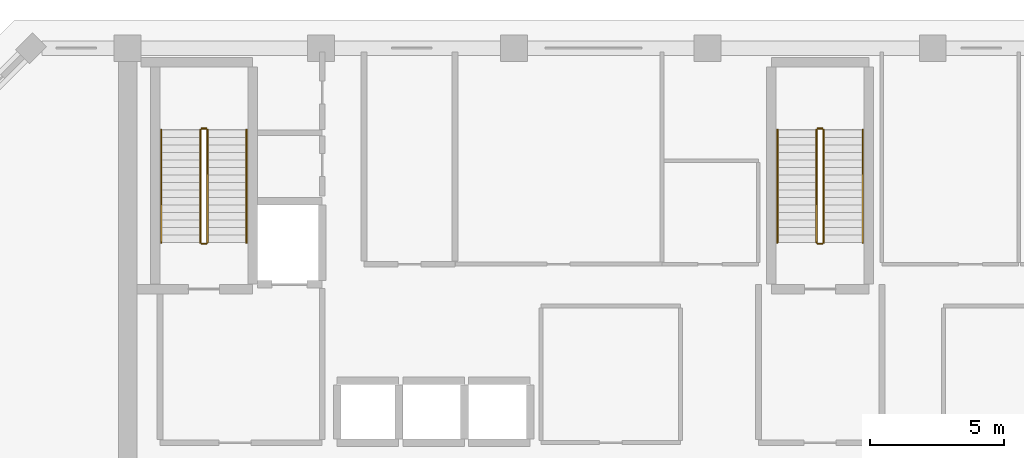
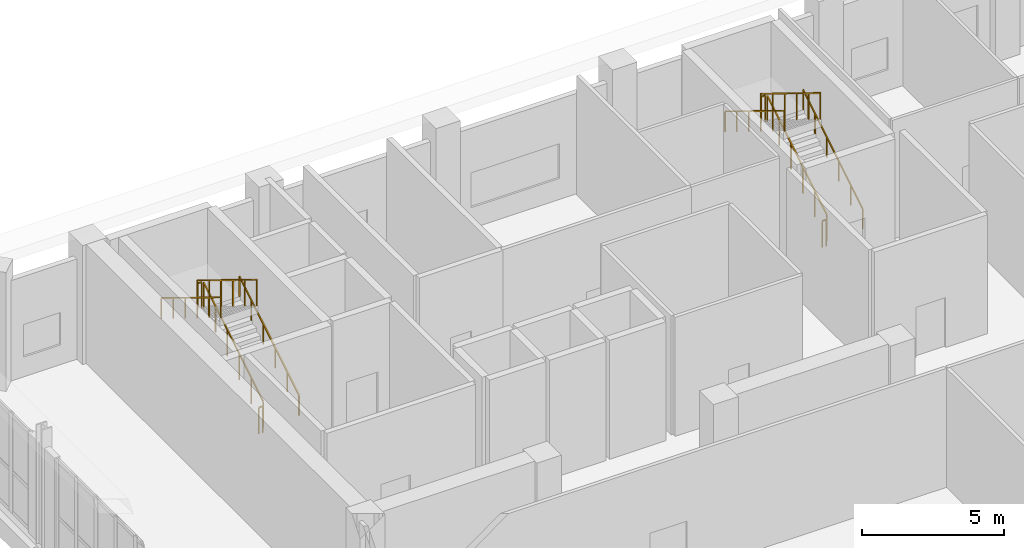
# One storey, part 25 of 26: 12 railings.
"""IFC4 building model written with IfcOpenShell, lengths in metres."""

import ifcopenshell
import ifcopenshell.guid

model = None  # the IFC model being written
_history = None  # IfcOwnerHistory: only IFC2X3 demands one
_inside = {}  # id of a spatial element -> (the spatial element, [elements in it])
_under = {}  # id of a project, library or spatial element -> (it, [spatial elements below it])
_declared = {}  # id of a project -> (the project, [libraries it declares])
_typed = {}  # id of a type object -> (the type object, [elements of that type])
_made_of = {}  # id of a material, layer set ... -> (it, [elements and type objects made of it])


def new_model(schema):
    """Start an empty IFC model of exactly this schema.

    Asked for "IFC4X3", IfcOpenShell would pick the latest addendum, in which some entities
    have other attributes; the version numbers below select the first issue.
    IFC2X3 requires an IfcOwnerHistory on every rooted entity: one is made here for all.
    """
    global model, _history
    if schema == "IFC4X3":
        model = ifcopenshell.file(schema_version=(4, 3, 0, 0))
    else:
        model = ifcopenshell.file(schema=schema)
    _inside.clear()
    _under.clear()
    _declared.clear()
    _typed.clear()
    _made_of.clear()
    _history = None
    if model.schema == "IFC2X3":
        org = make("IfcOrganization", Name="unknown")
        user = make(
            "IfcPersonAndOrganization",
            ThePerson=make("IfcPerson", FamilyName="unknown"),
            TheOrganization=org,
        )
        app = make(
            "IfcApplication",
            ApplicationDeveloper=org,
            Version="unknown",
            ApplicationFullName="unknown",
            ApplicationIdentifier="unknown",
        )
        _history = make(
            "IfcOwnerHistory",
            OwningUser=user,
            OwningApplication=app,
            ChangeAction="ADDED",
            CreationDate=0,
        )
    return model


def make(cls, **values):
    """One entity of the class cls with the attributes given. An attribute that is None is left unset."""
    return model.create_entity(
        cls, **{name: value for name, value in values.items() if value is not None}
    )


def rooted(cls, **values):
    """An entity with a GlobalId (a new one), such as an element, a storey or a relation."""
    return make(cls, GlobalId=ifcopenshell.guid.new(), OwnerHistory=_history, **values)


def si_unit(unit_type, name, prefix=None):
    """IfcSIUnit, for example si_unit("LENGTHUNIT", "METRE", prefix="MILLI")."""
    return make("IfcSIUnit", UnitType=unit_type, Prefix=prefix, Name=name)


def assignment(units):
    """IfcUnitAssignment: the units of a project."""
    return None if units is None else make("IfcUnitAssignment", Units=units)


def point(xyz):
    """IfcCartesianPoint."""
    return None if xyz is None else make("IfcCartesianPoint", Coordinates=xyz)


def direction(xyz):
    """IfcDirection."""
    return None if xyz is None else make("IfcDirection", DirectionRatios=xyz)


def frame(location, z_axis=None, x_axis=None):
    """IfcAxis2Placement3D, a coordinate frame: its origin and axes. An axis left out is left unset."""
    return make(
        "IfcAxis2Placement3D",
        Location=point(location),
        Axis=direction(z_axis),
        RefDirection=direction(x_axis),
    )


def frame_2d(location, x_axis=None):
    """IfcAxis2Placement2D, a coordinate frame in the plane: its origin and x axis."""
    return make(
        "IfcAxis2Placement2D", Location=point(location), RefDirection=direction(x_axis)
    )


def origin():
    """The frame at (0, 0, 0) with its axes left unset."""
    return frame((0.0, 0.0, 0.0))


def origin_2d():
    """The frame at (0, 0) in the plane with its x axis left unset."""
    return frame_2d((0.0, 0.0))


def place(relative_to, where):
    """IfcLocalPlacement: puts the frame where relative to a parent placement (None: the world)."""
    return make(
        "IfcLocalPlacement", PlacementRelTo=relative_to, RelativePlacement=where
    )


def context(
    kind, dimensions, precision=None, world=None, true_north=None, identifier=None
):
    """IfcGeometricRepresentationContext, for example the 3D "Model" context."""
    return make(
        "IfcGeometricRepresentationContext",
        ContextIdentifier=identifier,
        ContextType=kind,
        CoordinateSpaceDimension=dimensions,
        Precision=precision,
        WorldCoordinateSystem=world,
        TrueNorth=true_north,
    )


def subcontext(parent, identifier, kind, view, scale=None):
    """IfcGeometricRepresentationSubContext, for example "Body" below "Model"."""
    return make(
        "IfcGeometricRepresentationSubContext",
        ContextIdentifier=identifier,
        ContextType=kind,
        ParentContext=parent,
        TargetScale=scale,
        TargetView=view,
    )


def project(units=None, contexts=None):
    """IfcProject with its units and contexts."""
    return rooted(
        "IfcProject",
        Name="project",
        RepresentationContexts=contexts,
        UnitsInContext=assignment(units),
    )


def spatial(cls, under=None, at=None, **own):
    """A site, building, storey or space (cls), placed at a placement, below another one or the project."""
    s = rooted(cls, ObjectPlacement=at, **own)
    if under is not None:
        _under.setdefault(under.id(), (under, []))[1].append(s)
    return s


def profile(cls, at=None, kind="AREA", **sizes):
    """A parametric profile (cls). Its sizes go by their IFC names, for example OverallWidth=200.0."""
    return make(cls, ProfileType=kind, Position=at, **sizes)


def rectangle(**sizes):
    """IfcRectangleProfileDef."""
    return profile("IfcRectangleProfileDef", **sizes)


def extrude(swept, where, along, depth):
    """IfcExtrudedAreaSolid: the profile swept, set in the frame where, extruded along a direction by depth."""
    return make(
        "IfcExtrudedAreaSolid",
        SweptArea=swept,
        Position=where,
        ExtrudedDirection=direction(along),
        Depth=depth,
    )


def shape(context_of_items, identifier, shape_type, items):
    """IfcShapeRepresentation: the items that make up one representation, for example the "Body"."""
    return make(
        "IfcShapeRepresentation",
        ContextOfItems=context_of_items,
        RepresentationIdentifier=identifier,
        RepresentationType=shape_type,
        Items=items,
    )


def material(Name=None, Category=None):
    """IfcMaterial."""
    return make("IfcMaterial", Name=Name, Category=Category)


def made_of(thing, what):
    """Note that an element or type object is made of a material, layer set ...; save() writes the relation."""
    if what is not None:
        _made_of.setdefault(what.id(), (what, []))[1].append(thing)
    return thing


def type_object(cls, material=None, **own):
    """A type object (cls), such as IfcWallType, which elements share."""
    return made_of(rooted(cls, **own), material)


def element(
    cls,
    number,
    at=None,
    inside=None,
    cuts=None,
    type_object=None,
    material=None,
    context=None,
    identifier="Body",
    shape_type=None,
    held_by="IfcProductDefinitionShape",
    body=None,
    shapes=None,
    **own,
):
    """One element of the class cls, such as IfcWall. Its Tag is "e" and its number.

    at: its placement. inside: the storey or other place that contains it. cuts: it is an
    opening in that element (IfcRelVoidsElement). A single representation is given by context,
    identifier, shape_type and body (its items); several are given by shapes. held_by: the class
    of the entity that holds the representations. save() writes the other relations.
    """
    e = rooted(cls, Tag="e%d" % number, ObjectPlacement=at, **own)
    if body is not None:
        shapes = [shape(context, identifier, shape_type, body)]
    if shapes is not None:
        e.Representation = make(held_by, Representations=shapes)
    if inside is not None:
        _inside.setdefault(inside.id(), (inside, []))[1].append(e)
    if cuts is not None:
        rooted(
            "IfcRelVoidsElement", RelatingBuildingElement=cuts, RelatedOpeningElement=e
        )
    if type_object is not None:
        _typed.setdefault(type_object.id(), (type_object, []))[1].append(e)
    return made_of(e, material)


def aggregate(whole, parts):
    """IfcRelAggregates: a whole, such as a stair, and the parts it consists of."""
    return rooted("IfcRelAggregates", RelatingObject=whole, RelatedObjects=parts)


def save(model, path):
    """Write the relations noted so far, then the file.

    IfcRelAggregates (storeys below a building ...), IfcRelContainedInSpatialStructure (elements
    in a storey), IfcRelDefinesByType, IfcRelAssociatesMaterial and IfcRelDeclares: one each for
    every whole, place, type object, material and project.
    """
    for whole, parts in _under.values():
        aggregate(whole, parts)
    for where, things in _inside.values():
        rooted(
            "IfcRelContainedInSpatialStructure",
            RelatedElements=things,
            RelatingStructure=where,
        )
    for kind, things in _typed.values():
        rooted("IfcRelDefinesByType", RelatedObjects=things, RelatingType=kind)
    for what, things in _made_of.values():
        rooted("IfcRelAssociatesMaterial", RelatedObjects=things, RelatingMaterial=what)
    for by, libraries in _declared.values():
        rooted("IfcRelDeclares", RelatingContext=by, RelatedDefinitions=libraries)
    model.write(path)


model = new_model("IFC4")

# Units and contexts
model_context = context("Model", 3, precision=1e-05, world=origin(), true_north=direction((0.0, 1.0)))
body_context = subcontext(model_context, "Body", "Model", "MODEL_VIEW")
ifc_project = project(units=[si_unit("LENGTHUNIT", "METRE"), si_unit("AREAUNIT", "SQUARE_METRE"), si_unit("VOLUMEUNIT", "CUBIC_METRE"), si_unit("PLANEANGLEUNIT", "RADIAN"), si_unit("MASSUNIT", "GRAM", prefix="KILO")], contexts=[model_context])

# Site, building, storey
site_placement = place(None, origin())
site = spatial("IfcSite", under=ifc_project, at=site_placement, CompositionType="ELEMENT")
building_placement = place(site_placement, origin())
building = spatial("IfcBuilding", under=site, at=building_placement, Name="Kaelvorn Grand Hotel", CompositionType="ELEMENT")
storey_placement = place(building_placement, frame((0.0, 0.0, 294.699951171875)))
storey = spatial("IfcBuildingStorey", under=building, at=storey_placement, Name="L72", CompositionType="ELEMENT", Elevation=294.699951171875)

# Railings
ifc_material = material(Name="Stainless Steel", Category="steel")
railing_type_1 = type_object("IfcRailingType", Name="RL-HANDRAIL-900", PredefinedType="HANDRAIL", material=ifc_material)
railing_1_placement = place(storey_placement, frame((20.6298828125, 41.760009765625, 0.171875)))
element("IfcRailing", 1, at=railing_1_placement, inside=storey, type_object=railing_type_1, Name="L72 ST1 stair handrail 1", PredefinedType="HANDRAIL", context=body_context, shape_type="SweptSolid", body=[
    extrude(rectangle(XDim=0.048095703125, YDim=0.048095703125, at=origin_2d()), frame((0.0, 0.0, 0.8759765625), z_axis=(0.0, 0.852242915053, 0.523146264196), x_axis=(-1.0, 0.0, 0.0)), (0.0, 0.0, 1.0), 4.92822265625),
    extrude(rectangle(XDim=0.0419921875, YDim=0.0419921875, at=origin_2d()), origin(), (0.0, 0.0, 1.0), 0.851806640625),
    extrude(rectangle(XDim=0.0419921875, YDim=0.0419921875, at=origin_2d()), frame((0.0, 0.840087890625, 0.515625)), (0.0, 0.0, 1.0), 0.851806640625),
    extrude(rectangle(XDim=0.0419921875, YDim=0.0419921875, at=origin_2d()), frame((0.0, 1.679931640625, 1.03125)), (0.0, 0.0, 1.0), 0.851806640625),
    extrude(rectangle(XDim=0.0419921875, YDim=0.0419921875, at=origin_2d()), frame((0.0, 2.52001953125, 1.546875)), (0.0, 0.0, 1.0), 0.851806640625),
    extrude(rectangle(XDim=0.0419921875, YDim=0.0419921875, at=origin_2d()), frame((0.0, 3.35986328125, 2.0625)), (0.0, 0.0, 1.0), 0.851806640625),
    extrude(rectangle(XDim=0.0419921875, YDim=0.0419921875, at=origin_2d()), frame((0.0, 4.199951171875, 2.578125)), (0.0, 0.0, 1.0), 0.851806640625),
])
railing_2_placement = place(storey_placement, frame((17.449951171875, 45.9599609375, 2.921875)))
element("IfcRailing", 2, at=railing_2_placement, inside=storey, type_object=railing_type_1, Name="L72 ST1 stair handrail 2", PredefinedType="HANDRAIL", context=body_context, shape_type="SweptSolid", body=[
    extrude(rectangle(XDim=0.048095703125, YDim=0.048095703125, at=origin_2d()), frame((0.0, 0.0, 0.8759765625), z_axis=(0.0, -0.852242915053, 0.523146264196), x_axis=(1.0, 0.0, 0.0)), (0.0, 0.0, 1.0), 4.92822265625),
    extrude(rectangle(XDim=0.0419921875, YDim=0.0419921875, at=origin_2d()), origin(), (0.0, 0.0, 1.0), 0.851806640625),
    extrude(rectangle(XDim=0.0419921875, YDim=0.0419921875, at=origin_2d()), frame((0.0, -0.840087890625, 0.515625)), (0.0, 0.0, 1.0), 0.851806640625),
    extrude(rectangle(XDim=0.0419921875, YDim=0.0419921875, at=origin_2d()), frame((0.0, -1.679931640625, 1.03125)), (0.0, 0.0, 1.0), 0.851806640625),
    extrude(rectangle(XDim=0.0419921875, YDim=0.0419921875, at=origin_2d()), frame((0.0, -2.52001953125, 1.546875)), (0.0, 0.0, 1.0), 0.851806640625),
    extrude(rectangle(XDim=0.0419921875, YDim=0.0419921875, at=origin_2d()), frame((0.0, -3.35986328125, 2.0625)), (0.0, 0.0, 1.0), 0.851806640625),
    extrude(rectangle(XDim=0.0419921875, YDim=0.0419921875, at=origin_2d()), frame((0.0, -4.199951171875, 2.578125)), (0.0, 0.0, 1.0), 0.851806640625),
])
railing_3_placement = place(storey_placement, frame((43.590087890625, 41.760009765625, 0.171875)))
element("IfcRailing", 3, at=railing_3_placement, inside=storey, type_object=railing_type_1, Name="L72 ST2 stair handrail 1", PredefinedType="HANDRAIL", context=body_context, shape_type="SweptSolid", body=[
    extrude(rectangle(XDim=0.048095703125, YDim=0.048095703125, at=origin_2d()), frame((0.0, 0.0, 0.8759765625), z_axis=(0.0, 0.852242915053, 0.523146264196), x_axis=(-1.0, 0.0, 0.0)), (0.0, 0.0, 1.0), 4.92822265625),
    extrude(rectangle(XDim=0.0419921875, YDim=0.0419921875, at=origin_2d()), origin(), (0.0, 0.0, 1.0), 0.851806640625),
    extrude(rectangle(XDim=0.0419921875, YDim=0.0419921875, at=origin_2d()), frame((0.0, 0.840087890625, 0.515625)), (0.0, 0.0, 1.0), 0.851806640625),
    extrude(rectangle(XDim=0.0419921875, YDim=0.0419921875, at=origin_2d()), frame((0.0, 1.679931640625, 1.03125)), (0.0, 0.0, 1.0), 0.851806640625),
    extrude(rectangle(XDim=0.0419921875, YDim=0.0419921875, at=origin_2d()), frame((0.0, 2.52001953125, 1.546875)), (0.0, 0.0, 1.0), 0.851806640625),
    extrude(rectangle(XDim=0.0419921875, YDim=0.0419921875, at=origin_2d()), frame((0.0, 3.35986328125, 2.0625)), (0.0, 0.0, 1.0), 0.851806640625),
    extrude(rectangle(XDim=0.0419921875, YDim=0.0419921875, at=origin_2d()), frame((0.0, 4.199951171875, 2.578125)), (0.0, 0.0, 1.0), 0.851806640625),
])
railing_4_placement = place(storey_placement, frame((40.409912109375, 45.9599609375, 2.921875)))
element("IfcRailing", 4, at=railing_4_placement, inside=storey, type_object=railing_type_1, Name="L72 ST2 stair handrail 2", PredefinedType="HANDRAIL", context=body_context, shape_type="SweptSolid", body=[
    extrude(rectangle(XDim=0.048095703125, YDim=0.048095703125, at=origin_2d()), frame((0.0, 0.0, 0.8759765625), z_axis=(0.0, -0.852242915053, 0.523146264196), x_axis=(1.0, 0.0, 0.0)), (0.0, 0.0, 1.0), 4.92822265625),
    extrude(rectangle(XDim=0.0419921875, YDim=0.0419921875, at=origin_2d()), origin(), (0.0, 0.0, 1.0), 0.851806640625),
    extrude(rectangle(XDim=0.0419921875, YDim=0.0419921875, at=origin_2d()), frame((0.0, -0.840087890625, 0.515625)), (0.0, 0.0, 1.0), 0.851806640625),
    extrude(rectangle(XDim=0.0419921875, YDim=0.0419921875, at=origin_2d()), frame((0.0, -1.679931640625, 1.03125)), (0.0, 0.0, 1.0), 0.851806640625),
    extrude(rectangle(XDim=0.0419921875, YDim=0.0419921875, at=origin_2d()), frame((0.0, -2.52001953125, 1.546875)), (0.0, 0.0, 1.0), 0.851806640625),
    extrude(rectangle(XDim=0.0419921875, YDim=0.0419921875, at=origin_2d()), frame((0.0, -3.35986328125, 2.0625)), (0.0, 0.0, 1.0), 0.851806640625),
    extrude(rectangle(XDim=0.0419921875, YDim=0.0419921875, at=origin_2d()), frame((0.0, -4.199951171875, 2.578125)), (0.0, 0.0, 1.0), 0.851806640625),
])
railing_type_2 = type_object("IfcRailingType", Name="RL-STAIR-GUARD-1150", PredefinedType="BALUSTRADE", material=ifc_material)
railing_5_placement = place(storey_placement, frame((19.169921875, 41.760009765625, 0.171875)))
element("IfcRailing", 5, at=railing_5_placement, inside=storey, type_object=railing_type_2, Name="L72 ST1 stair guard 1", PredefinedType="BALUSTRADE", context=body_context, shape_type="SweptSolid", body=[
    extrude(rectangle(XDim=0.048095703125, YDim=0.048095703125, at=origin_2d()), frame((0.0, 0.0, 1.1259765625), z_axis=(0.0, 0.852242915053, 0.523146264196), x_axis=(-1.0, 0.0, 0.0)), (0.0, 0.0, 1.0), 4.92822265625),
    extrude(rectangle(XDim=0.0419921875, YDim=0.0419921875, at=origin_2d()), origin(), (0.0, 0.0, 1.0), 1.101806640625),
    extrude(rectangle(XDim=0.0419921875, YDim=0.0419921875, at=origin_2d()), frame((0.0, 0.840087890625, 0.515625)), (0.0, 0.0, 1.0), 1.101806640625),
    extrude(rectangle(XDim=0.0419921875, YDim=0.0419921875, at=origin_2d()), frame((0.0, 1.679931640625, 1.03125)), (0.0, 0.0, 1.0), 1.101806640625),
    extrude(rectangle(XDim=0.0419921875, YDim=0.0419921875, at=origin_2d()), frame((0.0, 2.52001953125, 1.546875)), (0.0, 0.0, 1.0), 1.101806640625),
    extrude(rectangle(XDim=0.0419921875, YDim=0.0419921875, at=origin_2d()), frame((0.0, 3.35986328125, 2.0625)), (0.0, 0.0, 1.0), 1.101806640625),
    extrude(rectangle(XDim=0.0419921875, YDim=0.0419921875, at=origin_2d()), frame((0.0, 4.199951171875, 2.578125)), (0.0, 0.0, 1.0), 1.101806640625),
])
railing_6_placement = place(storey_placement, frame((19.1201171875, 46.010009765625, 2.75)))
element("IfcRailing", 6, at=railing_6_placement, inside=storey, type_object=railing_type_2, Name="L72 ST1 stair guard 2", PredefinedType="BALUSTRADE", context=body_context, shape_type="SweptSolid", body=[
    extrude(rectangle(XDim=0.048095703125, YDim=0.048095703125, at=origin_2d()), frame((0.0, 0.0, 1.1259765625), z_axis=(-1.0, 0.0, 0.0), x_axis=(0.0, -1.0, 0.0)), (0.0, 0.0, 1.0), 0.16015625),
    extrude(rectangle(XDim=0.0419921875, YDim=0.0419921875, at=origin_2d()), origin(), (0.0, 0.0, 1.0), 1.101806640625),
    extrude(rectangle(XDim=0.0419921875, YDim=0.0419921875, at=origin_2d()), frame((-0.16015625, 0.0, 0.0)), (0.0, 0.0, 1.0), 1.101806640625),
])
railing_7_placement = place(storey_placement, frame((18.909912109375, 45.9599609375, 2.921875)))
element("IfcRailing", 7, at=railing_7_placement, inside=storey, type_object=railing_type_2, Name="L72 ST1 stair guard 3", PredefinedType="BALUSTRADE", context=body_context, shape_type="SweptSolid", body=[
    extrude(rectangle(XDim=0.048095703125, YDim=0.048095703125, at=origin_2d()), frame((0.0, 0.0, 1.1259765625), z_axis=(0.0, -0.852242915053, 0.523146264196), x_axis=(1.0, 0.0, 0.0)), (0.0, 0.0, 1.0), 4.92822265625),
    extrude(rectangle(XDim=0.0419921875, YDim=0.0419921875, at=origin_2d()), origin(), (0.0, 0.0, 1.0), 1.101806640625),
    extrude(rectangle(XDim=0.0419921875, YDim=0.0419921875, at=origin_2d()), frame((0.0, -0.840087890625, 0.515625)), (0.0, 0.0, 1.0), 1.101806640625),
    extrude(rectangle(XDim=0.0419921875, YDim=0.0419921875, at=origin_2d()), frame((0.0, -1.679931640625, 1.03125)), (0.0, 0.0, 1.0), 1.101806640625),
    extrude(rectangle(XDim=0.0419921875, YDim=0.0419921875, at=origin_2d()), frame((0.0, -2.52001953125, 1.546875)), (0.0, 0.0, 1.0), 1.101806640625),
    extrude(rectangle(XDim=0.0419921875, YDim=0.0419921875, at=origin_2d()), frame((0.0, -3.35986328125, 2.0625)), (0.0, 0.0, 1.0), 1.101806640625),
    extrude(rectangle(XDim=0.0419921875, YDim=0.0419921875, at=origin_2d()), frame((0.0, -4.199951171875, 2.578125)), (0.0, 0.0, 1.0), 1.101806640625),
])
railing_8_placement = place(storey_placement, frame((19.1201171875, 41.7099609375, 0.0)))
element("IfcRailing", 8, at=railing_8_placement, inside=storey, type_object=railing_type_2, Name="L72 ST1 stair guard 4", PredefinedType="BALUSTRADE", context=body_context, shape_type="SweptSolid", body=[
    extrude(rectangle(XDim=0.048095703125, YDim=0.048095703125, at=origin_2d()), frame((0.0, 0.0, 1.1259765625), z_axis=(-1.0, 0.0, 0.0), x_axis=(0.0, -1.0, 0.0)), (0.0, 0.0, 1.0), 0.16015625),
    extrude(rectangle(XDim=0.0419921875, YDim=0.0419921875, at=origin_2d()), origin(), (0.0, 0.0, 1.0), 1.101806640625),
    extrude(rectangle(XDim=0.0419921875, YDim=0.0419921875, at=origin_2d()), frame((-0.16015625, 0.0, 0.0)), (0.0, 0.0, 1.0), 1.101806640625),
])
railing_9_placement = place(storey_placement, frame((42.1298828125, 41.760009765625, 0.171875)))
element("IfcRailing", 9, at=railing_9_placement, inside=storey, type_object=railing_type_2, Name="L72 ST2 stair guard 1", PredefinedType="BALUSTRADE", context=body_context, shape_type="SweptSolid", body=[
    extrude(rectangle(XDim=0.048095703125, YDim=0.048095703125, at=origin_2d()), frame((0.0, 0.0, 1.1259765625), z_axis=(0.0, 0.852242915053, 0.523146264196), x_axis=(-1.0, 0.0, 0.0)), (0.0, 0.0, 1.0), 4.92822265625),
    extrude(rectangle(XDim=0.0419921875, YDim=0.0419921875, at=origin_2d()), origin(), (0.0, 0.0, 1.0), 1.101806640625),
    extrude(rectangle(XDim=0.0419921875, YDim=0.0419921875, at=origin_2d()), frame((0.0, 0.840087890625, 0.515625)), (0.0, 0.0, 1.0), 1.101806640625),
    extrude(rectangle(XDim=0.0419921875, YDim=0.0419921875, at=origin_2d()), frame((0.0, 1.679931640625, 1.03125)), (0.0, 0.0, 1.0), 1.101806640625),
    extrude(rectangle(XDim=0.0419921875, YDim=0.0419921875, at=origin_2d()), frame((0.0, 2.52001953125, 1.546875)), (0.0, 0.0, 1.0), 1.101806640625),
    extrude(rectangle(XDim=0.0419921875, YDim=0.0419921875, at=origin_2d()), frame((0.0, 3.35986328125, 2.0625)), (0.0, 0.0, 1.0), 1.101806640625),
    extrude(rectangle(XDim=0.0419921875, YDim=0.0419921875, at=origin_2d()), frame((0.0, 4.199951171875, 2.578125)), (0.0, 0.0, 1.0), 1.101806640625),
])
railing_10_placement = place(storey_placement, frame((42.080078125, 46.010009765625, 2.75)))
element("IfcRailing", 10, at=railing_10_placement, inside=storey, type_object=railing_type_2, Name="L72 ST2 stair guard 2", PredefinedType="BALUSTRADE", context=body_context, shape_type="SweptSolid", body=[
    extrude(rectangle(XDim=0.048095703125, YDim=0.048095703125, at=origin_2d()), frame((0.0, 0.0, 1.1259765625), z_axis=(-1.0, 0.0, 0.0), x_axis=(0.0, -1.0, 0.0)), (0.0, 0.0, 1.0), 0.16015625),
    extrude(rectangle(XDim=0.0419921875, YDim=0.0419921875, at=origin_2d()), origin(), (0.0, 0.0, 1.0), 1.101806640625),
    extrude(rectangle(XDim=0.0419921875, YDim=0.0419921875, at=origin_2d()), frame((-0.16015625, 0.0, 0.0)), (0.0, 0.0, 1.0), 1.101806640625),
])
railing_11_placement = place(storey_placement, frame((41.8701171875, 45.9599609375, 2.921875)))
element("IfcRailing", 11, at=railing_11_placement, inside=storey, type_object=railing_type_2, Name="L72 ST2 stair guard 3", PredefinedType="BALUSTRADE", context=body_context, shape_type="SweptSolid", body=[
    extrude(rectangle(XDim=0.048095703125, YDim=0.048095703125, at=origin_2d()), frame((0.0, 0.0, 1.1259765625), z_axis=(0.0, -0.852242915053, 0.523146264196), x_axis=(1.0, 0.0, 0.0)), (0.0, 0.0, 1.0), 4.92822265625),
    extrude(rectangle(XDim=0.0419921875, YDim=0.0419921875, at=origin_2d()), origin(), (0.0, 0.0, 1.0), 1.101806640625),
    extrude(rectangle(XDim=0.0419921875, YDim=0.0419921875, at=origin_2d()), frame((0.0, -0.840087890625, 0.515625)), (0.0, 0.0, 1.0), 1.101806640625),
    extrude(rectangle(XDim=0.0419921875, YDim=0.0419921875, at=origin_2d()), frame((0.0, -1.679931640625, 1.03125)), (0.0, 0.0, 1.0), 1.101806640625),
    extrude(rectangle(XDim=0.0419921875, YDim=0.0419921875, at=origin_2d()), frame((0.0, -2.52001953125, 1.546875)), (0.0, 0.0, 1.0), 1.101806640625),
    extrude(rectangle(XDim=0.0419921875, YDim=0.0419921875, at=origin_2d()), frame((0.0, -3.35986328125, 2.0625)), (0.0, 0.0, 1.0), 1.101806640625),
    extrude(rectangle(XDim=0.0419921875, YDim=0.0419921875, at=origin_2d()), frame((0.0, -4.199951171875, 2.578125)), (0.0, 0.0, 1.0), 1.101806640625),
])
railing_12_placement = place(storey_placement, frame((42.080078125, 41.7099609375, 0.0)))
element("IfcRailing", 12, at=railing_12_placement, inside=storey, type_object=railing_type_2, Name="L72 ST2 stair guard 4", PredefinedType="BALUSTRADE", context=body_context, shape_type="SweptSolid", body=[
    extrude(rectangle(XDim=0.048095703125, YDim=0.048095703125, at=origin_2d()), frame((0.0, 0.0, 1.1259765625), z_axis=(-1.0, 0.0, 0.0), x_axis=(0.0, -1.0, 0.0)), (0.0, 0.0, 1.0), 0.16015625),
    extrude(rectangle(XDim=0.0419921875, YDim=0.0419921875, at=origin_2d()), origin(), (0.0, 0.0, 1.0), 1.101806640625),
    extrude(rectangle(XDim=0.0419921875, YDim=0.0419921875, at=origin_2d()), frame((-0.16015625, 0.0, 0.0)), (0.0, 0.0, 1.0), 1.101806640625),
])

save(model, "model.ifc")
